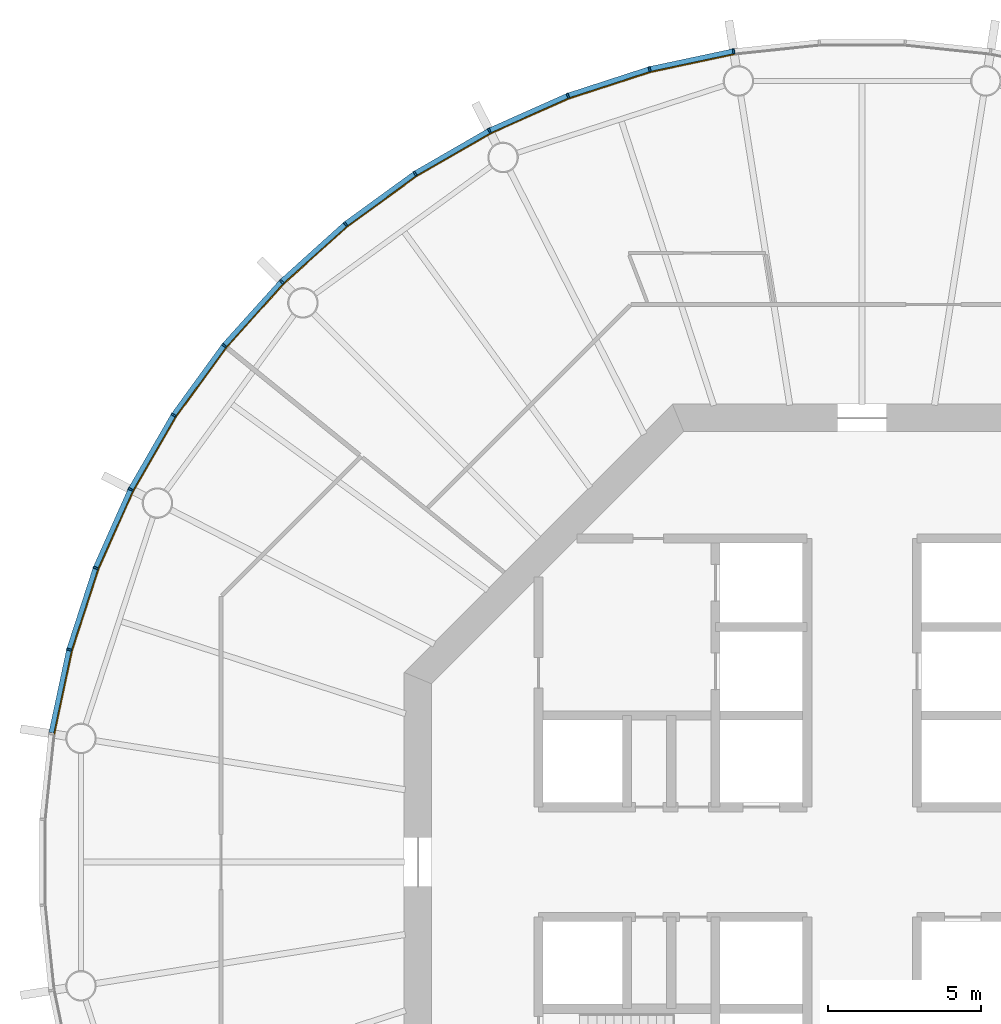
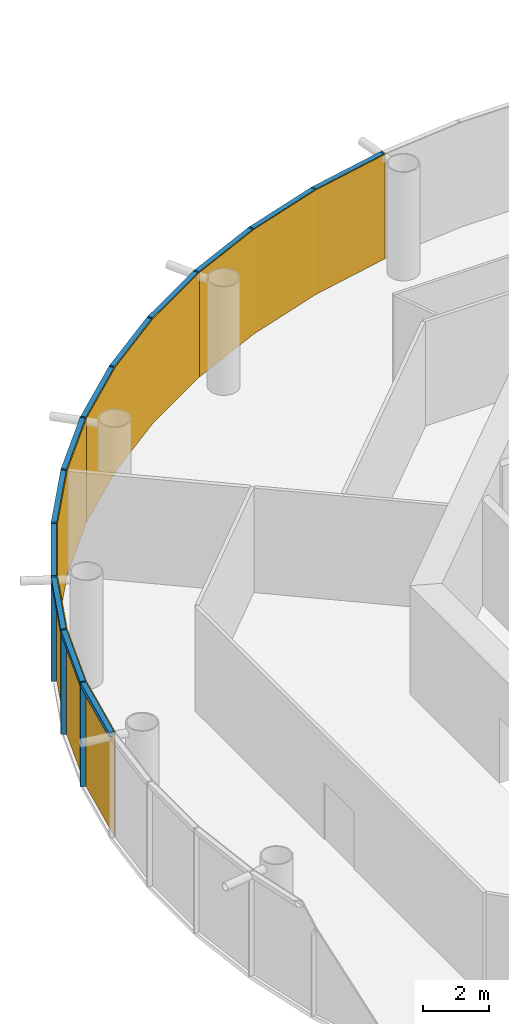
# One storey, part 10 of 13: 24 members, 4 curtain walls.
"""IFC4 building model written with IfcOpenShell, lengths in metres."""

from ifc_helpers import new_model, si_unit, direction, frame, origin, origin_2d, place, context, subcontext, project, spatial, polyline, rectangle, outline, extrude, material, layer, layer_set, material_profile, profile_set, type_object, element, aggregate, save


model = new_model("IFC4")

# Units and contexts
model_context = context("Model", 3, precision=1e-05, world=origin(), true_north=direction((0.0, 1.0)))
body_context = subcontext(model_context, "Body", "Model", "MODEL_VIEW")
ifc_project = project(units=[si_unit("LENGTHUNIT", "METRE"), si_unit("AREAUNIT", "SQUARE_METRE"), si_unit("VOLUMEUNIT", "CUBIC_METRE"), si_unit("PLANEANGLEUNIT", "RADIAN"), si_unit("MASSUNIT", "GRAM", prefix="KILO")], contexts=[model_context])

# Member
ifc_material_1 = material(Name="Anodised aluminium", Category="aluminium")
ifc_material_profile_1 = material_profile(ifc_material_1, rectangle(XDim=0.06005859375, YDim=0.169921875, at=origin_2d()), Name="Mullion 60 x 170 mm anodised aluminium")
ifc_profile_set_1 = profile_set([ifc_material_profile_1], Name="Anodised aluminium")
member_type_1 = type_object("IfcMemberType", Name="Mullion 60 x 170 mm anodised aluminium", PredefinedType="MULLION", material=ifc_profile_set_1)
site_placement = place(None, origin())
building_placement = place(site_placement, origin())
storey_placement = place(building_placement, frame((0.0, 0.0, 258.0)))
member_1_placement = place(storey_placement, frame((85.794189453125, 106.553955078125, 0.0), z_axis=(0.0, 0.0, 1.0), x_axis=(-0.987688340595, -0.15643446504, 0.0)))
member_1 = element("IfcMember", 1, at=member_1_placement, type_object=member_type_1, Name="MULLION L59-15", PredefinedType="MULLION", context=body_context, shape_type="SweptSolid", body=[
    extrude(rectangle(XDim=0.06005859375, YDim=0.169921875, at=origin_2d()), origin(), (0.0, 0.0, 1.0), 3.85009765625),
])

member_2_placement = place(storey_placement, frame((83.041748046875, 105.968994140625, 0.0), z_axis=(0.0, 0.0, 1.0), x_axis=(-0.965925826289, -0.258819045103, 0.0)))
member_2 = element("IfcMember", 2, at=member_2_placement, type_object=member_type_1, Name="MULLION L59-16", PredefinedType="MULLION", context=body_context, shape_type="SweptSolid", body=[
    extrude(rectangle(XDim=0.06005859375, YDim=0.169921875, at=origin_2d()), origin(), (0.0, 0.0, 1.0), 3.85009765625),
])

member_3_placement = place(storey_placement, frame((80.365234375, 105.099365234375, 0.0), z_axis=(0.0, 0.0, 1.0), x_axis=(-0.933580426497, -0.358367949545, 0.0)))
member_3 = element("IfcMember", 3, at=member_3_placement, type_object=member_type_1, Name="MULLION L59-17", PredefinedType="MULLION", context=body_context, shape_type="SweptSolid", body=[
    extrude(rectangle(XDim=0.06005859375, YDim=0.169921875, at=origin_2d()), origin(), (0.0, 0.0, 1.0), 3.85009765625),
])

member_4_placement = place(storey_placement, frame((77.79443359375, 103.95458984375, 0.0), z_axis=(0.0, 0.0, 1.0), x_axis=(-0.891006524188, -0.45399049974, 0.0)))
member_4 = element("IfcMember", 4, at=member_4_placement, type_object=member_type_1, Name="MULLION L59-18", PredefinedType="MULLION", context=body_context, shape_type="SweptSolid", body=[
    extrude(rectangle(XDim=0.06005859375, YDim=0.169921875, at=origin_2d()), origin(), (0.0, 0.0, 1.0), 3.85009765625),
])

member_5_placement = place(storey_placement, frame((75.357421875, 102.547607421875, 0.0), z_axis=(0.0, 0.0, 1.0), x_axis=(-0.838670567945, -0.544639035015, 0.0)))
member_5 = element("IfcMember", 5, at=member_5_placement, type_object=member_type_1, Name="MULLION L59-19", PredefinedType="MULLION", context=body_context, shape_type="SweptSolid", body=[
    extrude(rectangle(XDim=0.06005859375, YDim=0.169921875, at=origin_2d()), origin(), (0.0, 0.0, 1.0), 3.85009765625),
])

member_6_placement = place(storey_placement, frame((73.080810546875, 100.8935546875, 0.0), z_axis=(0.0, 0.0, 1.0), x_axis=(-0.777145961457, -0.62932039105, 0.0)))
member_6 = element("IfcMember", 6, at=member_6_placement, type_object=member_type_1, Name="MULLION L59-20", PredefinedType="MULLION", context=body_context, shape_type="SweptSolid", body=[
    extrude(rectangle(XDim=0.06005859375, YDim=0.169921875, at=origin_2d()), origin(), (0.0, 0.0, 1.0), 3.85009765625),
])

member_7_placement = place(storey_placement, frame((70.989501953125, 99.010498046875, 0.0), z_axis=(0.0, 0.0, 1.0), x_axis=(-0.707106781187, -0.707106781187, 0.0)))
member_7 = element("IfcMember", 7, at=member_7_placement, type_object=member_type_1, Name="MULLION L59-21", PredefinedType="MULLION", context=body_context, shape_type="SweptSolid", body=[
    extrude(rectangle(XDim=0.06005859375, YDim=0.169921875, at=origin_2d()), origin(), (0.0, 0.0, 1.0), 3.85009765625),
])

member_8_placement = place(storey_placement, frame((69.1064453125, 96.919189453125, 0.0), z_axis=(0.0, 0.0, 1.0), x_axis=(-0.62932039105, -0.777145961457, 0.0)))
member_8 = element("IfcMember", 8, at=member_8_placement, type_object=member_type_1, Name="MULLION L59-22", PredefinedType="MULLION", context=body_context, shape_type="SweptSolid", body=[
    extrude(rectangle(XDim=0.06005859375, YDim=0.169921875, at=origin_2d()), origin(), (0.0, 0.0, 1.0), 3.85009765625),
])

member_9_placement = place(storey_placement, frame((67.452392578125, 94.642578125, 0.0), z_axis=(0.0, 0.0, 1.0), x_axis=(-0.544639035015, -0.838670567945, 0.0)))
member_9 = element("IfcMember", 9, at=member_9_placement, type_object=member_type_1, Name="MULLION L59-23", PredefinedType="MULLION", context=body_context, shape_type="SweptSolid", body=[
    extrude(rectangle(XDim=0.06005859375, YDim=0.169921875, at=origin_2d()), origin(), (0.0, 0.0, 1.0), 3.85009765625),
])

member_10_placement = place(storey_placement, frame((66.04541015625, 92.20556640625, 0.0), z_axis=(0.0, 0.0, 1.0), x_axis=(-0.45399049974, -0.891006524188, 0.0)))
member_10 = element("IfcMember", 10, at=member_10_placement, type_object=member_type_1, Name="MULLION L59-24", PredefinedType="MULLION", context=body_context, shape_type="SweptSolid", body=[
    extrude(rectangle(XDim=0.06005859375, YDim=0.169921875, at=origin_2d()), origin(), (0.0, 0.0, 1.0), 3.85009765625),
])

member_11_placement = place(storey_placement, frame((64.900634765625, 89.634765625, 0.0), z_axis=(0.0, 0.0, 1.0), x_axis=(-0.358367949545, -0.933580426497, 0.0)))
member_11 = element("IfcMember", 11, at=member_11_placement, type_object=member_type_1, Name="MULLION L59-25", PredefinedType="MULLION", context=body_context, shape_type="SweptSolid", body=[
    extrude(rectangle(XDim=0.06005859375, YDim=0.169921875, at=origin_2d()), origin(), (0.0, 0.0, 1.0), 3.85009765625),
])

member_12_placement = place(storey_placement, frame((64.031005859375, 86.958251953125, 0.0), z_axis=(0.0, 0.0, 1.0), x_axis=(-0.258819045103, -0.965925826289, 0.0)))
member_12 = element("IfcMember", 12, at=member_12_placement, type_object=member_type_1, Name="MULLION L59-26", PredefinedType="MULLION", context=body_context, shape_type="SweptSolid", body=[
    extrude(rectangle(XDim=0.06005859375, YDim=0.169921875, at=origin_2d()), origin(), (0.0, 0.0, 1.0), 3.85009765625),
])

ifc_material_2 = material(Name="Anodised aluminium", Category="aluminium")
ifc_material_profile_2 = material_profile(ifc_material_2, rectangle(XDim=0.169921875, YDim=0.1650390625, at=origin_2d()), Name="Transom 165 x 170 mm anodised aluminium")
ifc_profile_set_2 = profile_set([ifc_material_profile_2], Name="Anodised aluminium")
member_type_2 = type_object("IfcMemberType", Name="Transom 165 x 170 mm anodised aluminium", PredefinedType="USERDEFINED", material=ifc_profile_set_2)
member_13_placement = place(storey_placement, frame((85.760498046875, 106.546875, 3.767578125), z_axis=(-0.97814212115, -0.207937468562, 0.0), x_axis=(0.207937468562, -0.97814212115, 0.0)))
member_13 = element("IfcMember", 13, at=member_13_placement, type_object=member_type_2, Name="TRANSOM L59-15", ObjectType="TRANSOM", PredefinedType="USERDEFINED", context=body_context, shape_type="SweptSolid", body=[
    extrude(rectangle(XDim=0.169921875, YDim=0.1650390625, at=origin_2d()), origin(), (0.0, 0.0, 1.0), 2.7451171875),
])

member_14_placement = place(storey_placement, frame((83.0087890625, 105.95849609375, 3.767578125), z_axis=(-0.951048445774, -0.309041831781, 0.0), x_axis=(0.309041831781, -0.951048445774, 0.0)))
member_14 = element("IfcMember", 14, at=member_14_placement, type_object=member_type_2, Name="TRANSOM L59-16", ObjectType="TRANSOM", PredefinedType="USERDEFINED", context=body_context, shape_type="SweptSolid", body=[
    extrude(rectangle(XDim=0.169921875, YDim=0.1650390625, at=origin_2d()), origin(), (0.0, 0.0, 1.0), 2.7451171875),
])

member_15_placement = place(storey_placement, frame((80.333740234375, 105.08544921875, 3.767578125), z_axis=(-0.913525267704, -0.406781987391, 0.0), x_axis=(0.406781987391, -0.913525267704, 0.0)))
member_15 = element("IfcMember", 15, at=member_15_placement, type_object=member_type_2, Name="TRANSOM L59-17", ObjectType="TRANSOM", PredefinedType="USERDEFINED", context=body_context, shape_type="SweptSolid", body=[
    extrude(rectangle(XDim=0.169921875, YDim=0.1650390625, at=origin_2d()), origin(), (0.0, 0.0, 1.0), 2.7451171875),
])

member_16_placement = place(storey_placement, frame((77.7646484375, 103.9375, 3.767578125), z_axis=(-0.866034527326, -0.49998419723, 0.0), x_axis=(0.49998419723, -0.866034527326, 0.0)))
member_16 = element("IfcMember", 16, at=member_16_placement, type_object=member_type_2, Name="TRANSOM L59-18", ObjectType="TRANSOM", PredefinedType="USERDEFINED", context=body_context, shape_type="SweptSolid", body=[
    extrude(rectangle(XDim=0.169921875, YDim=0.1650390625, at=origin_2d()), origin(), (0.0, 0.0, 1.0), 2.7451171875),
])

member_17_placement = place(storey_placement, frame((75.329345703125, 102.527587890625, 3.767578125), z_axis=(-0.808959086484, -0.587864947412, 0.0), x_axis=(0.587864947412, -0.808959086484, 0.0)))
member_17 = element("IfcMember", 17, at=member_17_placement, type_object=member_type_2, Name="TRANSOM L59-19", ObjectType="TRANSOM", PredefinedType="USERDEFINED", context=body_context, shape_type="SweptSolid", body=[
    extrude(rectangle(XDim=0.169921875, YDim=0.1650390625, at=origin_2d()), origin(), (0.0, 0.0, 1.0), 2.7451171875),
])

member_18_placement = place(storey_placement, frame((73.054931640625, 100.87060546875, 3.767578125), z_axis=(-0.743134927907, -0.669141598561, 0.0), x_axis=(0.669141598561, -0.743134927907, 0.0)))
member_18 = element("IfcMember", 18, at=member_18_placement, type_object=member_type_2, Name="TRANSOM L59-20", ObjectType="TRANSOM", PredefinedType="USERDEFINED", context=body_context, shape_type="SweptSolid", body=[
    extrude(rectangle(XDim=0.169921875, YDim=0.1650390625, at=origin_2d()), origin(), (0.0, 0.0, 1.0), 2.7451171875),
])

member_19_placement = place(storey_placement, frame((70.96630859375, 98.985107421875, 3.767578125), z_axis=(-0.669141598561, -0.743134927907, 0.0), x_axis=(0.743134927907, -0.669141598561, 0.0)))
member_19 = element("IfcMember", 19, at=member_19_placement, type_object=member_type_2, Name="TRANSOM L59-21", ObjectType="TRANSOM", PredefinedType="USERDEFINED", context=body_context, shape_type="SweptSolid", body=[
    extrude(rectangle(XDim=0.169921875, YDim=0.1650390625, at=origin_2d()), origin(), (0.0, 0.0, 1.0), 2.7451171875),
])

member_20_placement = place(storey_placement, frame((69.086181640625, 96.891357421875, 3.767578125), z_axis=(-0.587864947412, -0.808959086484, 0.0), x_axis=(0.808959086484, -0.587864947412, 0.0)))
member_20 = element("IfcMember", 20, at=member_20_placement, type_object=member_type_2, Name="TRANSOM L59-22", ObjectType="TRANSOM", PredefinedType="USERDEFINED", context=body_context, shape_type="SweptSolid", body=[
    extrude(rectangle(XDim=0.169921875, YDim=0.1650390625, at=origin_2d()), origin(), (0.0, 0.0, 1.0), 2.7451171875),
])

member_21_placement = place(storey_placement, frame((67.43505859375, 94.61279296875, 3.767578125), z_axis=(-0.49998419723, -0.866034527326, 0.0), x_axis=(0.866034527326, -0.49998419723, 0.0)))
member_21 = element("IfcMember", 21, at=member_21_placement, type_object=member_type_2, Name="TRANSOM L59-23", ObjectType="TRANSOM", PredefinedType="USERDEFINED", context=body_context, shape_type="SweptSolid", body=[
    extrude(rectangle(XDim=0.169921875, YDim=0.1650390625, at=origin_2d()), origin(), (0.0, 0.0, 1.0), 2.7451171875),
])

member_22_placement = place(storey_placement, frame((66.03125, 92.174072265625, 3.767578125), z_axis=(-0.406781987391, -0.913525267704, 0.0), x_axis=(0.913525267704, -0.406781987391, 0.0)))
member_22 = element("IfcMember", 22, at=member_22_placement, type_object=member_type_2, Name="TRANSOM L59-24", ObjectType="TRANSOM", PredefinedType="USERDEFINED", context=body_context, shape_type="SweptSolid", body=[
    extrude(rectangle(XDim=0.169921875, YDim=0.1650390625, at=origin_2d()), origin(), (0.0, 0.0, 1.0), 2.7451171875),
])

member_23_placement = place(storey_placement, frame((64.889892578125, 89.60205078125, 3.767578125), z_axis=(-0.309041831781, -0.951048445774, 0.0), x_axis=(0.951048445774, -0.309041831781, 0.0)))
member_23 = element("IfcMember", 23, at=member_23_placement, type_object=member_type_2, Name="TRANSOM L59-25", ObjectType="TRANSOM", PredefinedType="USERDEFINED", context=body_context, shape_type="SweptSolid", body=[
    extrude(rectangle(XDim=0.169921875, YDim=0.1650390625, at=origin_2d()), origin(), (0.0, 0.0, 1.0), 2.7451171875),
])

member_24_placement = place(storey_placement, frame((64.02392578125, 86.924560546875, 3.767578125), z_axis=(-0.207937468562, -0.97814212115, 0.0), x_axis=(0.97814212115, -0.207937468562, 0.0)))
member_24 = element("IfcMember", 24, at=member_24_placement, type_object=member_type_2, Name="TRANSOM L59-26", ObjectType="TRANSOM", PredefinedType="USERDEFINED", context=body_context, shape_type="SweptSolid", body=[
    extrude(rectangle(XDim=0.169921875, YDim=0.1650390625, at=origin_2d()), origin(), (0.0, 0.0, 1.0), 2.7451171875),
])

# Site, building, storey
site = spatial("IfcSite", under=ifc_project, at=site_placement, CompositionType="ELEMENT")
building = spatial("IfcBuilding", under=site, at=building_placement, Name="Entoto Ring Tower", CompositionType="ELEMENT")
storey = spatial("IfcBuildingStorey", under=building, at=storey_placement, Name="L59", CompositionType="ELEMENT", Elevation=258.0)

# Curtain wall
ifc_material_3 = material(Name="Clear low-iron glass", Category="glass")
ifc_layer = layer(ifc_material_3, 0.031982421875)
ifc_layer_set = layer_set([ifc_layer], Name="Clear low-iron glass")
curtain_wall_type = type_object("IfcCurtainWallType", Name="Curtain wall system CW4 glazing 32 mm", PredefinedType="NOTDEFINED", material=ifc_layer_set)
curtain_wall_1_placement = place(storey_placement, origin())
curtain_wall_1 = element("IfcCurtainWall", 25, at=curtain_wall_1_placement, inside=storey, type_object=curtain_wall_type, Name="CW4 L59-06", PredefinedType="NOTDEFINED", context=body_context, shape_type="SweptSolid", body=[
    extrude(outline(polyline([(85.8076171875, 106.469970703125), (83.063720703125, 105.88671875), (80.395751953125, 105.02001953125), (77.8330078125, 103.87890625), (77.84765625, 103.850341796875), (80.4072265625, 104.989990234375), (83.072021484375, 105.85595703125), (85.8125, 106.4384765625), (85.8076171875, 106.469970703125)])), origin(), (0.0, 0.0, 1.0), 3.85009765625),
])

aggregate(curtain_wall_1, [member_1, member_2, member_3, member_13, member_14, member_15])

curtain_wall_2_placement = place(storey_placement, origin())
curtain_wall_2 = element("IfcCurtainWall", 26, at=curtain_wall_2_placement, inside=storey, type_object=curtain_wall_type, Name="CW4 L59-07", PredefinedType="NOTDEFINED", context=body_context, shape_type="SweptSolid", body=[
    extrude(outline(polyline([(77.8330078125, 103.87890625), (75.403564453125, 102.476318359375), (73.13427734375, 100.827392578125), (71.049560546875, 98.950439453125), (71.072265625, 98.927734375), (73.154296875, 100.802490234375), (75.421142578125, 102.449462890625), (77.84765625, 103.850341796875), (77.8330078125, 103.87890625)])), origin(), (0.0, 0.0, 1.0), 3.85009765625),
])

aggregate(curtain_wall_2, [member_4, member_5, member_6, member_16, member_17, member_18])

curtain_wall_3_placement = place(storey_placement, origin())
curtain_wall_3 = element("IfcCurtainWall", 27, at=curtain_wall_3_placement, inside=storey, type_object=curtain_wall_type, Name="CW4 L59-08", PredefinedType="NOTDEFINED", context=body_context, shape_type="SweptSolid", body=[
    extrude(outline(polyline([(71.049560546875, 98.950439453125), (69.172607421875, 96.86572265625), (67.523681640625, 94.596435546875), (66.12109375, 92.1669921875), (66.149658203125, 92.15234375), (67.550537109375, 94.578857421875), (69.197509765625, 96.845703125), (71.072265625, 98.927734375), (71.049560546875, 98.950439453125)])), origin(), (0.0, 0.0, 1.0), 3.85009765625),
])

aggregate(curtain_wall_3, [member_7, member_8, member_9, member_19, member_20, member_21])

curtain_wall_4_placement = place(storey_placement, origin())
curtain_wall_4 = element("IfcCurtainWall", 28, at=curtain_wall_4_placement, inside=storey, type_object=curtain_wall_type, Name="CW4 L59-09", PredefinedType="NOTDEFINED", context=body_context, shape_type="SweptSolid", body=[
    extrude(outline(polyline([(66.12109375, 92.1669921875), (64.97998046875, 89.604248046875), (64.11328125, 86.936279296875), (63.530029296875, 84.1923828125), (63.5615234375, 84.1875), (64.14404296875, 86.927978515625), (65.010009765625, 89.5927734375), (66.149658203125, 92.15234375), (66.12109375, 92.1669921875)])), origin(), (0.0, 0.0, 1.0), 3.85009765625),
])

aggregate(curtain_wall_4, [member_10, member_11, member_12, member_22, member_23, member_24])

save(model, "model.ifc")
